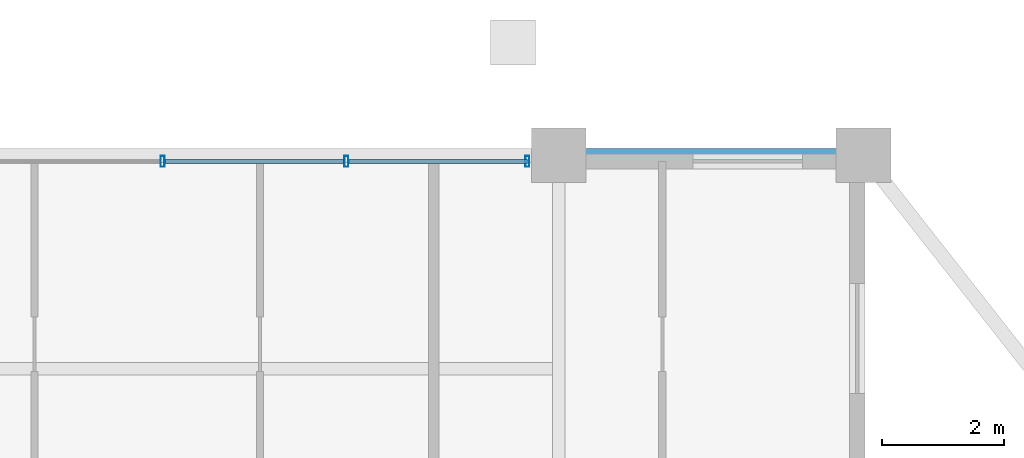
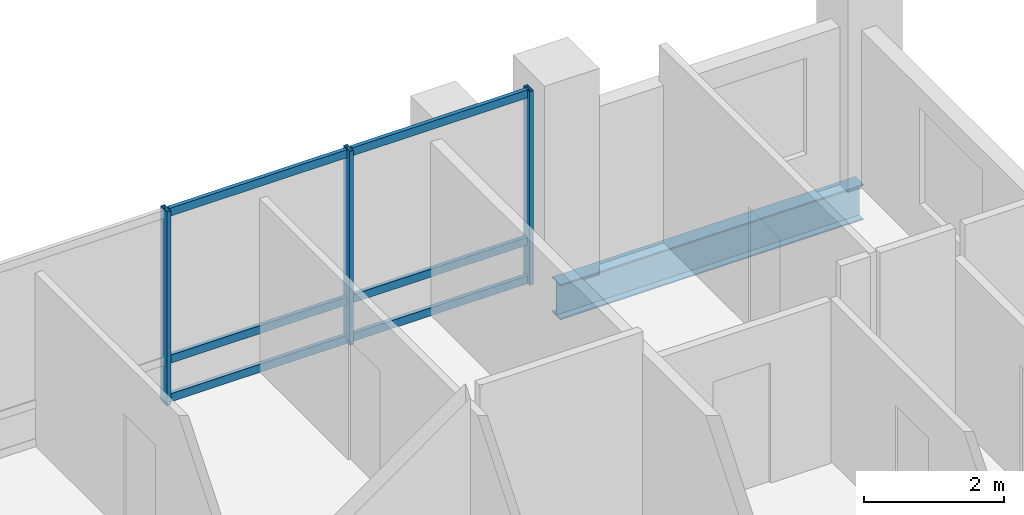
# One storey, part 14 of 21: 9 members, 1 beam, 1 element without a shape of its own.
"""IFC4 building model written with IfcOpenShell, lengths in metres."""

from ifc_helpers import new_model, si_unit, direction, frame, origin, origin_2d, place, context, subcontext, project, spatial, hollow_rectangle, i_section, extrude, material, layer, layer_set, material_profile, profile_set, type_object, element, aggregate, save


model = new_model("IFC4")

# Units and contexts
model_context = context("Model", 3, precision=1e-05, world=origin(), true_north=direction((0.0, 1.0)))
body_context = subcontext(model_context, "Body", "Model", "MODEL_VIEW")
ifc_project = project(units=[si_unit("LENGTHUNIT", "METRE"), si_unit("AREAUNIT", "SQUARE_METRE"), si_unit("VOLUMEUNIT", "CUBIC_METRE"), si_unit("PLANEANGLEUNIT", "RADIAN"), si_unit("MASSUNIT", "GRAM", prefix="KILO")], contexts=[model_context])

# Site, building, storey
site_placement = place(None, origin())
site = spatial("IfcSite", under=ifc_project, at=site_placement, CompositionType="ELEMENT")
building_placement = place(site_placement, origin())
building = spatial("IfcBuilding", under=site, at=building_placement, Name="Barlavira Tower and Art Museum", CompositionType="ELEMENT")
storey_placement = place(building_placement, frame((0.0, 0.0, 254.699951171875)))
storey = spatial("IfcBuildingStorey", under=building, at=storey_placement, Name="L66", CompositionType="ELEMENT", Elevation=254.699951171875)

# Curtain wall, members
ifc_material_1 = material(Name="Low-iron coastal laminated glass", Category="glass")
ifc_layer = layer(ifc_material_1, 0.2099609375, Name="Low-iron coastal laminated glass")
ifc_layer_set = layer_set([ifc_layer], Name="Low-iron coastal laminated glass")
curtain_wall_type = type_object("IfcCurtainWallType", Name="Pale-Metal Unitised Curtain Wall Zone 4", PredefinedType="NOTDEFINED", material=ifc_layer_set)
curtain_wall_placement = place(storey_placement, origin())
curtain_wall = element("IfcCurtainWall", 1, at=curtain_wall_placement, inside=storey, type_object=curtain_wall_type, Name="L66 Curtain Wall CW4-L66-N-B2", PredefinedType="NOTDEFINED")
ifc_material_2 = material(Name="Pale anodised aluminium", Category="aluminium")
ifc_material_profile_1 = material_profile(ifc_material_2, hollow_rectangle(XDim=0.06494140625, YDim=0.179931640625, WallThickness=0.00390625, at=origin_2d()), Name="ALU-MULL 65x180x4")
ifc_profile_set_1 = profile_set([ifc_material_profile_1], Name="Pale anodised aluminium")
member_type_1 = type_object("IfcMemberType", Name="Curtain Wall Pale-Metal Mullion 65x180", PredefinedType="MULLION", material=ifc_profile_set_1)
member_1_placement = place(storey_placement, frame((5.985107421875, 19.89990234375, 0.0), z_axis=(0.0, 0.0, 1.0), x_axis=(-1.0, 0.0, 0.0)))
member_1 = element("IfcMember", 2, at=member_1_placement, type_object=member_type_1, Name="CW4-L66-N-B2 Mullion 0", PredefinedType="MULLION", context=body_context, shape_type="SweptSolid", body=[
    extrude(hollow_rectangle(XDim=0.06494140625, YDim=0.179931640625, WallThickness=0.00390625, at=origin_2d()), origin(), (0.0, 0.0, 1.0), 3.380126953125),
])
member_2_placement = place(storey_placement, frame((3.014892578125, 19.89990234375, 0.0), z_axis=(0.0, 0.0, 1.0), x_axis=(-1.0, 0.0, 0.0)))
member_2 = element("IfcMember", 3, at=member_2_placement, type_object=member_type_1, Name="CW4-L66-N-B2 Mullion 1", PredefinedType="MULLION", context=body_context, shape_type="SweptSolid", body=[
    extrude(hollow_rectangle(XDim=0.06494140625, YDim=0.179931640625, WallThickness=0.00390625, at=origin_2d()), origin(), (0.0, 0.0, 1.0), 3.380126953125),
])
member_3_placement = place(storey_placement, frame((0.0, 19.89990234375, 0.0), z_axis=(0.0, 0.0, 1.0), x_axis=(-1.0, 0.0, 0.0)))
member_3 = element("IfcMember", 4, at=member_3_placement, type_object=member_type_1, Name="CW4-L66-N-B2 Mullion 2", PredefinedType="MULLION", context=body_context, shape_type="SweptSolid", body=[
    extrude(hollow_rectangle(XDim=0.06494140625, YDim=0.179931640625, WallThickness=0.00390625, at=origin_2d()), origin(), (0.0, 0.0, 1.0), 3.380126953125),
])
ifc_material_profile_2 = material_profile(ifc_material_2, hollow_rectangle(XDim=0.06494140625, YDim=0.139892578125, WallThickness=0.00390625, at=origin_2d()), Name="ALU-TRAN 65x140x4")
ifc_profile_set_2 = profile_set([ifc_material_profile_2], Name="Pale anodised aluminium")
member_type_2 = type_object("IfcMemberType", Name="Curtain Wall Pale-Metal Transom 65x140", PredefinedType="USERDEFINED", material=ifc_profile_set_2)
member_4_placement = place(storey_placement, frame((5.985107421875, 19.89990234375, 0.070068359375), z_axis=(-1.0, 0.0, 0.0), x_axis=(0.0, -1.0, 0.0)))
member_4 = element("IfcMember", 5, at=member_4_placement, type_object=member_type_2, Name="CW4-L66-N-B2 Transom 0.1", ObjectType="TRANSOM", PredefinedType="USERDEFINED", context=body_context, shape_type="SweptSolid", body=[
    extrude(hollow_rectangle(XDim=0.06494140625, YDim=0.139892578125, WallThickness=0.00390625, at=origin_2d()), origin(), (0.0, 0.0, 1.0), 2.925048828125),
])
member_5_placement = place(storey_placement, frame((5.985107421875, 19.89990234375, 0.744140625), z_axis=(-1.0, 0.0, 0.0), x_axis=(0.0, -1.0, 0.0)))
member_5 = element("IfcMember", 6, at=member_5_placement, type_object=member_type_2, Name="CW4-L66-N-B2 Transom 0.2", ObjectType="TRANSOM", PredefinedType="USERDEFINED", context=body_context, shape_type="SweptSolid", body=[
    extrude(hollow_rectangle(XDim=0.06494140625, YDim=0.139892578125, WallThickness=0.00390625, at=origin_2d()), origin(), (0.0, 0.0, 1.0), 2.925048828125),
])
member_6_placement = place(storey_placement, frame((5.985107421875, 19.89990234375, 3.31005859375), z_axis=(-1.0, 0.0, 0.0), x_axis=(0.0, -1.0, 0.0)))
member_6 = element("IfcMember", 7, at=member_6_placement, type_object=member_type_2, Name="CW4-L66-N-B2 Transom 0.3", ObjectType="TRANSOM", PredefinedType="USERDEFINED", context=body_context, shape_type="SweptSolid", body=[
    extrude(hollow_rectangle(XDim=0.06494140625, YDim=0.139892578125, WallThickness=0.00390625, at=origin_2d()), origin(), (0.0, 0.0, 1.0), 2.925048828125),
])
member_7_placement = place(storey_placement, frame((2.969970703125, 19.89990234375, 0.070068359375), z_axis=(-1.0, 0.0, 0.0), x_axis=(0.0, -1.0, 0.0)))
member_7 = element("IfcMember", 8, at=member_7_placement, type_object=member_type_2, Name="CW4-L66-N-B2 Transom 1.1", ObjectType="TRANSOM", PredefinedType="USERDEFINED", context=body_context, shape_type="SweptSolid", body=[
    extrude(hollow_rectangle(XDim=0.06494140625, YDim=0.139892578125, WallThickness=0.00390625, at=origin_2d()), origin(), (0.0, 0.0, 1.0), 2.925048828125),
])
member_8_placement = place(storey_placement, frame((2.969970703125, 19.89990234375, 0.744140625), z_axis=(-1.0, 0.0, 0.0), x_axis=(0.0, -1.0, 0.0)))
member_8 = element("IfcMember", 9, at=member_8_placement, type_object=member_type_2, Name="CW4-L66-N-B2 Transom 1.2", ObjectType="TRANSOM", PredefinedType="USERDEFINED", context=body_context, shape_type="SweptSolid", body=[
    extrude(hollow_rectangle(XDim=0.06494140625, YDim=0.139892578125, WallThickness=0.00390625, at=origin_2d()), origin(), (0.0, 0.0, 1.0), 2.925048828125),
])
member_9_placement = place(storey_placement, frame((2.969970703125, 19.89990234375, 3.31005859375), z_axis=(-1.0, 0.0, 0.0), x_axis=(0.0, -1.0, 0.0)))
member_9 = element("IfcMember", 10, at=member_9_placement, type_object=member_type_2, Name="CW4-L66-N-B2 Transom 1.3", ObjectType="TRANSOM", PredefinedType="USERDEFINED", context=body_context, shape_type="SweptSolid", body=[
    extrude(hollow_rectangle(XDim=0.06494140625, YDim=0.139892578125, WallThickness=0.00390625, at=origin_2d()), origin(), (0.0, 0.0, 1.0), 2.925048828125),
])
aggregate(curtain_wall, [member_1, member_2, member_3, member_4, member_5, member_6, member_7, member_8, member_9])

# Beam
ifc_material_3 = material(Name="Steel S355", Category="steel")
ifc_material_profile_3 = material_profile(ifc_material_3, i_section(OverallWidth=0.22998046875, OverallDepth=0.616943359375, WebThickness=0.01318359375, FlangeThickness=0.022216796875, at=origin_2d()), Name="W610x140.0")
ifc_profile_set_3 = profile_set([ifc_material_profile_3], Name="Steel S355")
beam_type = type_object("IfcBeamType", Name="Upper Shaft Spandrel Edge Beam W610x140 Steel S355", PredefinedType="SPANDREL", material=ifc_profile_set_3)
beam_placement = place(storey_placement, frame((6.5, 20.0, -0.528564453125), z_axis=(1.0, 0.0, 0.0), x_axis=(0.0, 1.0, 0.0)))
element("IfcBeam", 11, at=beam_placement, inside=storey, type_object=beam_type, Name="L66 Spandrel 9", PredefinedType="SPANDREL", context=body_context, shape_type="SweptSolid", body=[
    extrude(i_section(OverallWidth=0.22998046875, OverallDepth=0.616943359375, WebThickness=0.01318359375, FlangeThickness=0.022216796875, at=origin_2d()), origin(), (0.0, 0.0, 1.0), 5.0),
])

save(model, "model.ifc")
